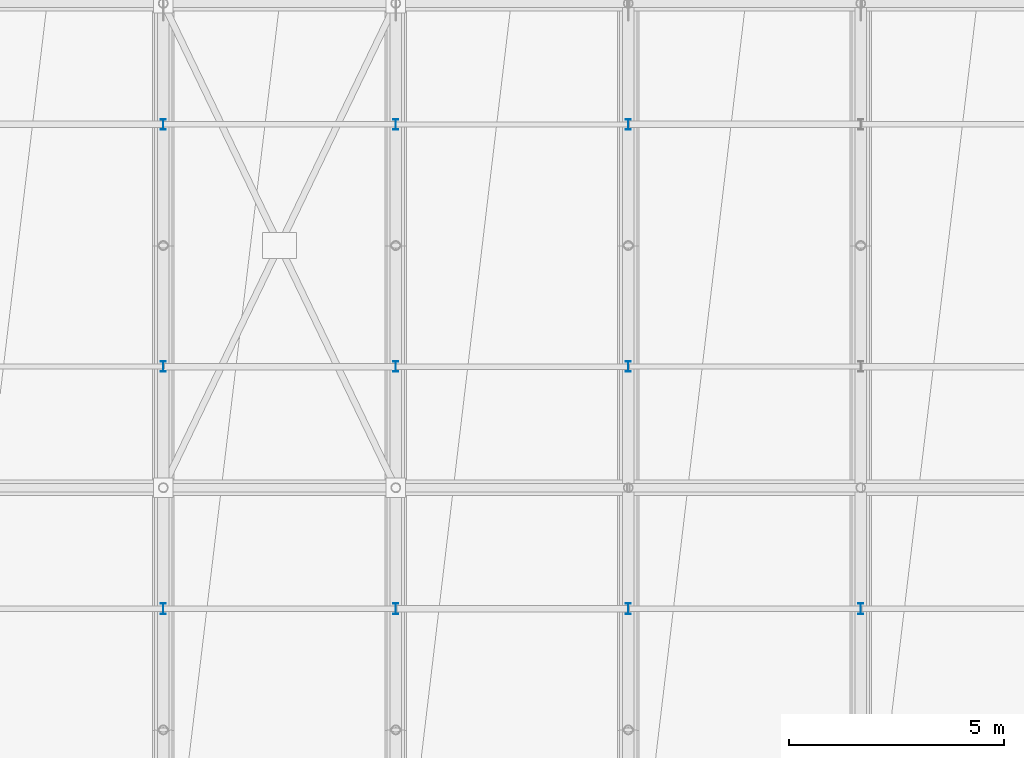
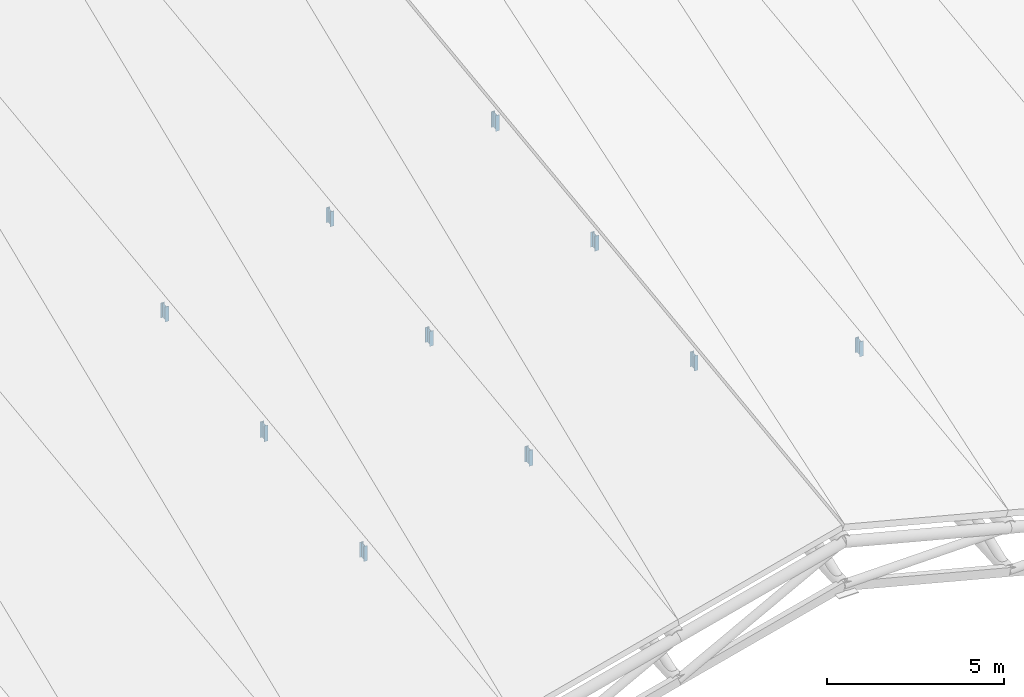
# One storey, part 60 of 109: 10 members.
"""IFC4 building model written with IfcOpenShell, lengths in metres."""

from ifc_helpers import new_model, si_unit, direction, frame, origin, origin_2d, place, context, subcontext, project, spatial, i_section, extrude, material, material_profile, profile_set, type_object, element, save


model = new_model("IFC4")

# Units and contexts
model_context = context("Model", 3, precision=1e-05, world=origin(), true_north=direction((0.0, 1.0)))
body_context = subcontext(model_context, "Body", "Model", "MODEL_VIEW")
ifc_project = project(units=[si_unit("LENGTHUNIT", "METRE"), si_unit("AREAUNIT", "SQUARE_METRE"), si_unit("VOLUMEUNIT", "CUBIC_METRE"), si_unit("PLANEANGLEUNIT", "RADIAN"), si_unit("MASSUNIT", "GRAM", prefix="KILO")], contexts=[model_context])

# Site, building, storey
site_placement = place(None, origin())
site = spatial("IfcSite", under=ifc_project, at=site_placement, CompositionType="ELEMENT")
building_placement = place(site_placement, origin())
building = spatial("IfcBuilding", under=site, at=building_placement, Name="Suirenkawa Promenade Aquatics Centre", CompositionType="ELEMENT")
storey_placement = place(building_placement, frame((0.0, 0.0, 22.800048828125)))
storey = spatial("IfcBuildingStorey", under=building, at=storey_placement, Name="ROOF", CompositionType="ELEMENT", Elevation=22.800048828125)

# Members
ifc_material = material(Name="Steel IS 2062 E350 (Grade 350)", Category="steel")
ifc_material_profile = material_profile(ifc_material, i_section(OverallWidth=0.125, OverallDepth=0.25, WebThickness=0.007080078125, FlangeThickness=0.012939453125, at=origin_2d()), Name="ISMB 250", Category="steel")
ifc_profile_set = profile_set([ifc_material_profile], Name="Steel IS 2062 E350 (Grade 350)")
member_type = type_object("IfcMemberType", Name="MT-WEB-CHS168", PredefinedType="BRACE", material=ifc_profile_set)
member_1_placement = place(storey_placement, frame((100.800048828125, 58.8369140625, -11.3330078125), z_axis=(0.0, 0.0, 1.0), x_axis=(1.0, 0.0, 0.0)))
element("IfcMember", 1, at=member_1_placement, inside=storey, type_object=member_type, Name="ROOF TRUSS Purlin cleat post TD-03 MB-2016", PredefinedType="BRACE", context=body_context, shape_type="SweptSolid", body=[
    extrude(i_section(OverallWidth=0.125, OverallDepth=0.25, WebThickness=0.007080078125, FlangeThickness=0.012939453125, at=origin_2d()), origin(), (0.0, 0.0, 1.0), 0.52099609375),
])
member_2_placement = place(storey_placement, frame((100.800048828125, 64.462890625, -10.60693359375), z_axis=(0.0, 0.0, 1.0), x_axis=(1.0, 0.0, 0.0)))
element("IfcMember", 2, at=member_2_placement, inside=storey, type_object=member_type, Name="ROOF TRUSS Purlin cleat post TD-03 MB-2018", PredefinedType="BRACE", context=body_context, shape_type="SweptSolid", body=[
    extrude(i_section(OverallWidth=0.125, OverallDepth=0.25, WebThickness=0.007080078125, FlangeThickness=0.012939453125, at=origin_2d()), origin(), (0.0, 0.0, 1.0), 0.5458984375),
])
member_3_placement = place(storey_placement, frame((100.800048828125, 70.087890625, -9.882080078125), z_axis=(0.0, 0.0, 1.0), x_axis=(1.0, 0.0, 0.0)))
element("IfcMember", 3, at=member_3_placement, inside=storey, type_object=member_type, Name="ROOF TRUSS Purlin cleat post TD-03 MB-2020", PredefinedType="BRACE", context=body_context, shape_type="SweptSolid", body=[
    extrude(i_section(OverallWidth=0.125, OverallDepth=0.25, WebThickness=0.007080078125, FlangeThickness=0.012939453125, at=origin_2d()), origin(), (0.0, 0.0, 1.0), 0.51904296875),
])
member_4_placement = place(storey_placement, frame((106.199951171875, 58.8369140625, -9.93310546875), z_axis=(0.0, 0.0, 1.0), x_axis=(1.0, 0.0, 0.0)))
element("IfcMember", 4, at=member_4_placement, inside=storey, type_object=member_type, Name="ROOF TRUSS Purlin cleat post TD-03 MB-2052", PredefinedType="BRACE", context=body_context, shape_type="SweptSolid", body=[
    extrude(i_section(OverallWidth=0.125, OverallDepth=0.25, WebThickness=0.007080078125, FlangeThickness=0.012939453125, at=origin_2d()), origin(), (0.0, 0.0, 1.0), 0.547119140625),
])
member_5_placement = place(storey_placement, frame((106.199951171875, 64.462890625, -9.20703125), z_axis=(0.0, 0.0, 1.0), x_axis=(1.0, 0.0, 0.0)))
element("IfcMember", 5, at=member_5_placement, inside=storey, type_object=member_type, Name="ROOF TRUSS Purlin cleat post TD-03 MB-2054", PredefinedType="BRACE", context=body_context, shape_type="SweptSolid", body=[
    extrude(i_section(OverallWidth=0.125, OverallDepth=0.25, WebThickness=0.007080078125, FlangeThickness=0.012939453125, at=origin_2d()), origin(), (0.0, 0.0, 1.0), 0.51904296875),
])
member_6_placement = place(storey_placement, frame((106.199951171875, 70.087890625, -8.48193359375), z_axis=(0.0, 0.0, 1.0), x_axis=(1.0, 0.0, 0.0)))
element("IfcMember", 6, at=member_6_placement, inside=storey, type_object=member_type, Name="ROOF TRUSS Purlin cleat post TD-03 MB-2056", PredefinedType="BRACE", context=body_context, shape_type="SweptSolid", body=[
    extrude(i_section(OverallWidth=0.125, OverallDepth=0.25, WebThickness=0.007080078125, FlangeThickness=0.012939453125, at=origin_2d()), origin(), (0.0, 0.0, 1.0), 0.519775390625),
])
member_7_placement = place(storey_placement, frame((111.60009765625, 58.8369140625, -8.532958984375), z_axis=(0.0, 0.0, 1.0), x_axis=(1.0, 0.0, 0.0)))
element("IfcMember", 7, at=member_7_placement, inside=storey, type_object=member_type, Name="ROOF TRUSS Purlin cleat post TD-03 MB-2088", PredefinedType="BRACE", context=body_context, shape_type="SweptSolid", body=[
    extrude(i_section(OverallWidth=0.125, OverallDepth=0.25, WebThickness=0.007080078125, FlangeThickness=0.012939453125, at=origin_2d()), origin(), (0.0, 0.0, 1.0), 0.52001953125),
])
member_8_placement = place(storey_placement, frame((111.60009765625, 64.462890625, -7.80712890625), z_axis=(0.0, 0.0, 1.0), x_axis=(1.0, 0.0, 0.0)))
element("IfcMember", 8, at=member_8_placement, inside=storey, type_object=member_type, Name="ROOF TRUSS Purlin cleat post TD-03 MB-2090", PredefinedType="BRACE", context=body_context, shape_type="SweptSolid", body=[
    extrude(i_section(OverallWidth=0.125, OverallDepth=0.25, WebThickness=0.007080078125, FlangeThickness=0.012939453125, at=origin_2d()), origin(), (0.0, 0.0, 1.0), 0.52099609375),
])
member_9_placement = place(storey_placement, frame((111.60009765625, 70.087890625, -7.08203125), z_axis=(0.0, 0.0, 1.0), x_axis=(1.0, 0.0, 0.0)))
element("IfcMember", 9, at=member_9_placement, inside=storey, type_object=member_type, Name="ROOF TRUSS Purlin cleat post TD-03 MB-2092", PredefinedType="BRACE", context=body_context, shape_type="SweptSolid", body=[
    extrude(i_section(OverallWidth=0.125, OverallDepth=0.25, WebThickness=0.007080078125, FlangeThickness=0.012939453125, at=origin_2d()), origin(), (0.0, 0.0, 1.0), 0.5458984375),
])
member_10_placement = place(storey_placement, frame((117.0, 58.8369140625, -9.93310546875), z_axis=(0.0, 0.0, 1.0), x_axis=(1.0, 0.0, 0.0)))
element("IfcMember", 10, at=member_10_placement, inside=storey, type_object=member_type, Name="ROOF TRUSS Purlin cleat post TD-03 MB-2124", PredefinedType="BRACE", context=body_context, shape_type="SweptSolid", body=[
    extrude(i_section(OverallWidth=0.125, OverallDepth=0.25, WebThickness=0.007080078125, FlangeThickness=0.012939453125, at=origin_2d()), origin(), (0.0, 0.0, 1.0), 0.52099609375),
])

save(model, "model.ifc")
